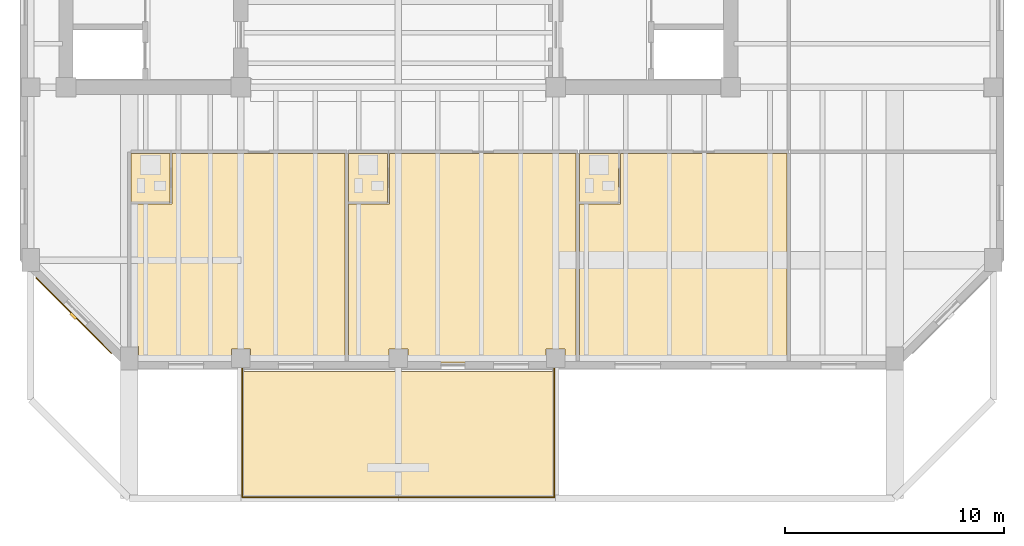
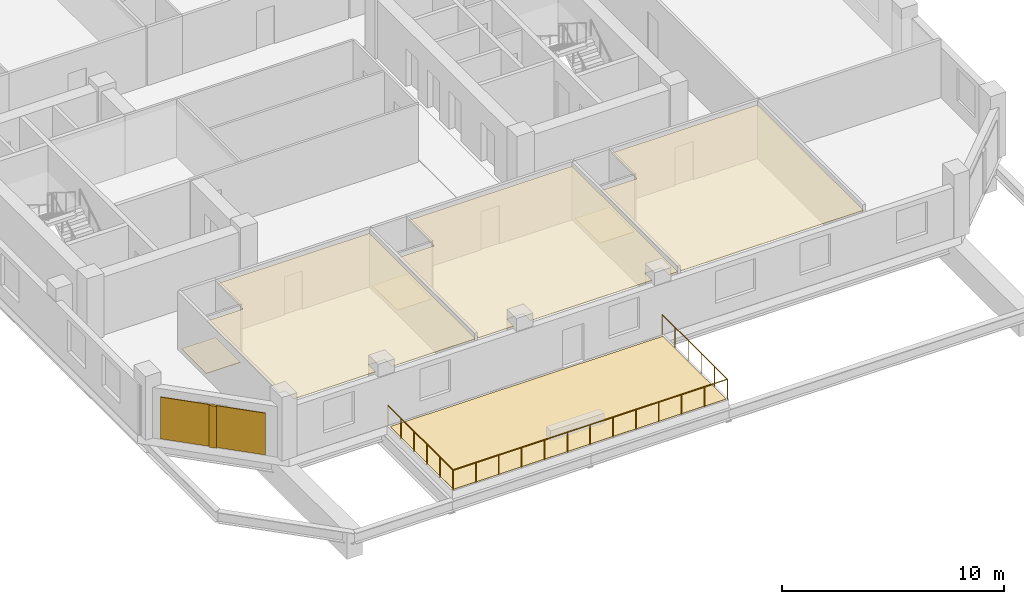
# One storey, part 7 of 10: 8 coverings, 1 railing, 1 shading device.
"""IFC4 building model written with IfcOpenShell, lengths in metres."""

import ifcopenshell
import ifcopenshell.guid

model = None  # the IFC model being written
_history = None  # IfcOwnerHistory: only IFC2X3 demands one
_inside = {}  # id of a spatial element -> (the spatial element, [elements in it])
_under = {}  # id of a project, library or spatial element -> (it, [spatial elements below it])
_declared = {}  # id of a project -> (the project, [libraries it declares])
_typed = {}  # id of a type object -> (the type object, [elements of that type])
_made_of = {}  # id of a material, layer set ... -> (it, [elements and type objects made of it])


def new_model(schema):
    """Start an empty IFC model of exactly this schema.

    Asked for "IFC4X3", IfcOpenShell would pick the latest addendum, in which some entities
    have other attributes; the version numbers below select the first issue.
    IFC2X3 requires an IfcOwnerHistory on every rooted entity: one is made here for all.
    """
    global model, _history
    if schema == "IFC4X3":
        model = ifcopenshell.file(schema_version=(4, 3, 0, 0))
    else:
        model = ifcopenshell.file(schema=schema)
    _inside.clear()
    _under.clear()
    _declared.clear()
    _typed.clear()
    _made_of.clear()
    _history = None
    if model.schema == "IFC2X3":
        org = make("IfcOrganization", Name="unknown")
        user = make(
            "IfcPersonAndOrganization",
            ThePerson=make("IfcPerson", FamilyName="unknown"),
            TheOrganization=org,
        )
        app = make(
            "IfcApplication",
            ApplicationDeveloper=org,
            Version="unknown",
            ApplicationFullName="unknown",
            ApplicationIdentifier="unknown",
        )
        _history = make(
            "IfcOwnerHistory",
            OwningUser=user,
            OwningApplication=app,
            ChangeAction="ADDED",
            CreationDate=0,
        )
    return model


def make(cls, **values):
    """One entity of the class cls with the attributes given. An attribute that is None is left unset."""
    return model.create_entity(
        cls, **{name: value for name, value in values.items() if value is not None}
    )


def rooted(cls, **values):
    """An entity with a GlobalId (a new one), such as an element, a storey or a relation."""
    return make(cls, GlobalId=ifcopenshell.guid.new(), OwnerHistory=_history, **values)


def si_unit(unit_type, name, prefix=None):
    """IfcSIUnit, for example si_unit("LENGTHUNIT", "METRE", prefix="MILLI")."""
    return make("IfcSIUnit", UnitType=unit_type, Prefix=prefix, Name=name)


def assignment(units):
    """IfcUnitAssignment: the units of a project."""
    return None if units is None else make("IfcUnitAssignment", Units=units)


def point(xyz):
    """IfcCartesianPoint."""
    return None if xyz is None else make("IfcCartesianPoint", Coordinates=xyz)


def direction(xyz):
    """IfcDirection."""
    return None if xyz is None else make("IfcDirection", DirectionRatios=xyz)


def frame(location, z_axis=None, x_axis=None):
    """IfcAxis2Placement3D, a coordinate frame: its origin and axes. An axis left out is left unset."""
    return make(
        "IfcAxis2Placement3D",
        Location=point(location),
        Axis=direction(z_axis),
        RefDirection=direction(x_axis),
    )


def frame_2d(location, x_axis=None):
    """IfcAxis2Placement2D, a coordinate frame in the plane: its origin and x axis."""
    return make(
        "IfcAxis2Placement2D", Location=point(location), RefDirection=direction(x_axis)
    )


def origin():
    """The frame at (0, 0, 0) with its axes left unset."""
    return frame((0.0, 0.0, 0.0))


def origin_2d():
    """The frame at (0, 0) in the plane with its x axis left unset."""
    return frame_2d((0.0, 0.0))


def place(relative_to, where):
    """IfcLocalPlacement: puts the frame where relative to a parent placement (None: the world)."""
    return make(
        "IfcLocalPlacement", PlacementRelTo=relative_to, RelativePlacement=where
    )


def context(
    kind, dimensions, precision=None, world=None, true_north=None, identifier=None
):
    """IfcGeometricRepresentationContext, for example the 3D "Model" context."""
    return make(
        "IfcGeometricRepresentationContext",
        ContextIdentifier=identifier,
        ContextType=kind,
        CoordinateSpaceDimension=dimensions,
        Precision=precision,
        WorldCoordinateSystem=world,
        TrueNorth=true_north,
    )


def subcontext(parent, identifier, kind, view, scale=None):
    """IfcGeometricRepresentationSubContext, for example "Body" below "Model"."""
    return make(
        "IfcGeometricRepresentationSubContext",
        ContextIdentifier=identifier,
        ContextType=kind,
        ParentContext=parent,
        TargetScale=scale,
        TargetView=view,
    )


def project(units=None, contexts=None):
    """IfcProject with its units and contexts."""
    return rooted(
        "IfcProject",
        Name="project",
        RepresentationContexts=contexts,
        UnitsInContext=assignment(units),
    )


def spatial(cls, under=None, at=None, **own):
    """A site, building, storey or space (cls), placed at a placement, below another one or the project."""
    s = rooted(cls, ObjectPlacement=at, **own)
    if under is not None:
        _under.setdefault(under.id(), (under, []))[1].append(s)
    return s


def polyline(points):
    """IfcPolyline through the points."""
    return make("IfcPolyline", Points=[point(p) for p in points])


def profile(cls, at=None, kind="AREA", **sizes):
    """A parametric profile (cls). Its sizes go by their IFC names, for example OverallWidth=200.0."""
    return make(cls, ProfileType=kind, Position=at, **sizes)


def rectangle(**sizes):
    """IfcRectangleProfileDef."""
    return profile("IfcRectangleProfileDef", **sizes)


def circle(**sizes):
    """IfcCircleProfileDef."""
    return profile("IfcCircleProfileDef", **sizes)


def outline(outer, holes=None, kind="AREA"):
    """IfcArbitraryClosedProfileDef: a profile drawn as a closed curve; with holes, ...WithVoids."""
    if holes is None:
        return make("IfcArbitraryClosedProfileDef", ProfileType=kind, OuterCurve=outer)
    return make(
        "IfcArbitraryProfileDefWithVoids",
        ProfileType=kind,
        OuterCurve=outer,
        InnerCurves=holes,
    )


def extrude(swept, where, along, depth):
    """IfcExtrudedAreaSolid: the profile swept, set in the frame where, extruded along a direction by depth."""
    return make(
        "IfcExtrudedAreaSolid",
        SweptArea=swept,
        Position=where,
        ExtrudedDirection=direction(along),
        Depth=depth,
    )


def shape(context_of_items, identifier, shape_type, items):
    """IfcShapeRepresentation: the items that make up one representation, for example the "Body"."""
    return make(
        "IfcShapeRepresentation",
        ContextOfItems=context_of_items,
        RepresentationIdentifier=identifier,
        RepresentationType=shape_type,
        Items=items,
    )


def material(Name=None, Category=None):
    """IfcMaterial."""
    return make("IfcMaterial", Name=Name, Category=Category)


def layer(
    of_material, thickness, ventilated=None, Name=None, Category=None, Priority=None
):
    """IfcMaterialLayer: one layer of a wall or slab, of a material (None: an air gap)."""
    return make(
        "IfcMaterialLayer",
        Material=of_material,
        LayerThickness=thickness,
        IsVentilated=ventilated,
        Name=Name,
        Category=Category,
        Priority=Priority,
    )


def layer_set(layers, Name=None):
    """IfcMaterialLayerSet."""
    return make("IfcMaterialLayerSet", MaterialLayers=layers, LayerSetName=Name)


def made_of(thing, what):
    """Note that an element or type object is made of a material, layer set ...; save() writes the relation."""
    if what is not None:
        _made_of.setdefault(what.id(), (what, []))[1].append(thing)
    return thing


def type_object(cls, material=None, **own):
    """A type object (cls), such as IfcWallType, which elements share."""
    return made_of(rooted(cls, **own), material)


def element(
    cls,
    number,
    at=None,
    inside=None,
    cuts=None,
    type_object=None,
    material=None,
    context=None,
    identifier="Body",
    shape_type=None,
    held_by="IfcProductDefinitionShape",
    body=None,
    shapes=None,
    **own,
):
    """One element of the class cls, such as IfcWall. Its Tag is "e" and its number.

    at: its placement. inside: the storey or other place that contains it. cuts: it is an
    opening in that element (IfcRelVoidsElement). A single representation is given by context,
    identifier, shape_type and body (its items); several are given by shapes. held_by: the class
    of the entity that holds the representations. save() writes the other relations.
    """
    e = rooted(cls, Tag="e%d" % number, ObjectPlacement=at, **own)
    if body is not None:
        shapes = [shape(context, identifier, shape_type, body)]
    if shapes is not None:
        e.Representation = make(held_by, Representations=shapes)
    if inside is not None:
        _inside.setdefault(inside.id(), (inside, []))[1].append(e)
    if cuts is not None:
        rooted(
            "IfcRelVoidsElement", RelatingBuildingElement=cuts, RelatedOpeningElement=e
        )
    if type_object is not None:
        _typed.setdefault(type_object.id(), (type_object, []))[1].append(e)
    return made_of(e, material)


def aggregate(whole, parts):
    """IfcRelAggregates: a whole, such as a stair, and the parts it consists of."""
    return rooted("IfcRelAggregates", RelatingObject=whole, RelatedObjects=parts)


def save(model, path):
    """Write the relations noted so far, then the file.

    IfcRelAggregates (storeys below a building ...), IfcRelContainedInSpatialStructure (elements
    in a storey), IfcRelDefinesByType, IfcRelAssociatesMaterial and IfcRelDeclares: one each for
    every whole, place, type object, material and project.
    """
    for whole, parts in _under.values():
        aggregate(whole, parts)
    for where, things in _inside.values():
        rooted(
            "IfcRelContainedInSpatialStructure",
            RelatedElements=things,
            RelatingStructure=where,
        )
    for kind, things in _typed.values():
        rooted("IfcRelDefinesByType", RelatedObjects=things, RelatingType=kind)
    for what, things in _made_of.values():
        rooted("IfcRelAssociatesMaterial", RelatedObjects=things, RelatingMaterial=what)
    for by, libraries in _declared.values():
        rooted("IfcRelDeclares", RelatingContext=by, RelatedDefinitions=libraries)
    model.write(path)


model = new_model("IFC4")

# Units and contexts
model_context = context("Model", 3, precision=1e-05, world=origin(), true_north=direction((0.0, 1.0)))
body_context = subcontext(model_context, "Body", "Model", "MODEL_VIEW")
ifc_project = project(units=[si_unit("LENGTHUNIT", "METRE"), si_unit("AREAUNIT", "SQUARE_METRE"), si_unit("VOLUMEUNIT", "CUBIC_METRE"), si_unit("PLANEANGLEUNIT", "RADIAN"), si_unit("MASSUNIT", "GRAM", prefix="KILO")], contexts=[model_context])

# Site, building, storey
site_placement = place(None, origin())
site = spatial("IfcSite", under=ifc_project, at=site_placement, CompositionType="ELEMENT")
building_placement = place(site_placement, origin())
building = spatial("IfcBuilding", under=site, at=building_placement, Name="Kranthara Brick Stack", CompositionType="ELEMENT")
storey_placement = place(building_placement, frame((0.0, 0.0, 162.300048828125)))
storey = spatial("IfcBuildingStorey", under=building, at=storey_placement, Name="L41", CompositionType="ELEMENT", Elevation=162.300048828125)

# Coverings
ifc_material_1 = material(Name="Perforated mineral-fibre acoustic ceiling tile", Category="other")
ifc_layer_1 = layer(ifc_material_1, 0.02490234375)
ifc_layer_set_1 = layer_set([ifc_layer_1], Name="Perforated mineral-fibre acoustic ceiling tile")
covering_type_1 = type_object("IfcCoveringType", Name="COV-CEIL-ACOUSTIC", PredefinedType="CEILING", material=ifc_layer_set_1)
covering_1_placement = place(storey_placement, frame((0.0, 0.0, 2.929931640625)))
element("IfcCovering", 1, at=covering_1_placement, inside=storey, type_object=covering_type_1, Name="L41 Room L41-01 Corner Junior Suite Acoustic Ceiling", PredefinedType="CEILING", context=body_context, shape_type="SweptSolid", body=[
    extrude(outline(polyline([(17.659912109375, 15.4599609375), (17.659912109375, 17.77001953125), (25.569091796875, 17.77001953125), (25.569091796875, 8.199951171875), (21.235107421875, 8.199951171875), (21.235107421875, 8.8349609375), (20.364990234375, 8.8349609375), (20.364990234375, 8.199951171875), (16.110107421875, 8.199951171875), (16.110107421875, 8.93505859375), (15.780029296875, 8.93505859375), (15.780029296875, 15.4599609375), (17.659912109375, 15.4599609375)])), origin(), (0.0, 0.0, 1.0), 0.02490234375),
])
covering_2_placement = place(storey_placement, frame((0.0, 0.0, 2.929931640625)))
element("IfcCovering", 2, at=covering_2_placement, inside=storey, type_object=covering_type_1, Name="L41 Room L41-02 Corner Junior Suite Acoustic Ceiling", PredefinedType="CEILING", context=body_context, shape_type="SweptSolid", body=[
    extrude(outline(polyline([(25.72900390625, 15.4599609375), (27.60888671875, 15.4599609375), (27.60888671875, 17.77001953125), (36.1220703125, 17.77001953125), (36.1220703125, 8.199951171875), (35.635009765625, 8.199951171875), (35.635009765625, 8.8349609375), (34.764892578125, 8.8349609375), (34.764892578125, 8.199951171875), (28.43505859375, 8.199951171875), (28.43505859375, 8.8349609375), (27.56494140625, 8.8349609375), (27.56494140625, 8.199951171875), (25.72900390625, 8.199951171875), (25.72900390625, 15.4599609375)])), origin(), (0.0, 0.0, 1.0), 0.02490234375),
])
covering_3_placement = place(storey_placement, frame((0.0, 0.0, 2.929931640625)))
element("IfcCovering", 3, at=covering_3_placement, inside=storey, type_object=covering_type_1, Name="L41 Room L41-03 Corner Junior Suite Acoustic Ceiling", PredefinedType="CEILING", context=body_context, shape_type="SweptSolid", body=[
    extrude(outline(polyline([(36.281982421875, 8.199951171875), (45.77001953125, 8.199951171875), (45.77001953125, 17.77001953125), (38.162109375, 17.77001953125), (38.162109375, 15.4599609375), (36.281982421875, 15.4599609375), (36.281982421875, 8.199951171875)])), origin(), (0.0, 0.0, 1.0), 0.02490234375),
])
ifc_material_2 = material(Name="Warm buff kiln-fired brick slip rainscreen", Category="masonry")
ifc_layer_2 = layer(ifc_material_2, 0.044921875)
ifc_layer_set_2 = layer_set([ifc_layer_2], Name="Warm buff kiln-fired brick slip rainscreen")
covering_type_2 = type_object("IfcCoveringType", Name="COV-CLAD-BRICK", PredefinedType="CLADDING", material=ifc_layer_set_2)
covering_4_placement = place(storey_placement, frame((13.15966796875, 10.359619140625, 0.0498046875), z_axis=(0.0, 0.0, 1.0), x_axis=(-0.707106781187, 0.707106781187, 0.0)))
element("IfcCovering", 4, at=covering_4_placement, inside=storey, type_object=covering_type_2, Name="L41 Chamfer Brick Rainscreen Cladding SW", PredefinedType="CLADDING", context=body_context, shape_type="SweptSolid", body=[
    extrude(rectangle(XDim=4.89306640625, YDim=0.044921875, at=origin_2d()), origin(), (0.0, 0.0, 1.0), 2.300048828125),
])
ifc_material_3 = material(Name="Honed terrazzo and porcelain floor finish", Category="stone")
ifc_layer_3 = layer(ifc_material_3, 0.030029296875)
ifc_layer_set_3 = layer_set([ifc_layer_3], Name="Honed terrazzo and porcelain floor finish")
covering_type_3 = type_object("IfcCoveringType", Name="COV-FLOR-STONE", PredefinedType="FLOORING", material=ifc_layer_set_3)
covering_5_placement = place(storey_placement, origin())
element("IfcCovering", 5, at=covering_5_placement, inside=storey, type_object=covering_type_3, Name="L41 Wet Room Porcelain Flooring", PredefinedType="FLOORING", context=body_context, shape_type="SweptSolid", body=[
    extrude(outline(polyline([(15.780029296875, 15.52001953125), (15.780029296875, 17.77001953125), (17.56005859375, 17.77001953125), (17.56005859375, 15.52001953125), (15.780029296875, 15.52001953125)])), origin(), (0.0, 0.0, 1.0), 0.030029296875),
])
covering_6_placement = place(storey_placement, origin())
element("IfcCovering", 6, at=covering_6_placement, inside=storey, type_object=covering_type_3, Name="L41 Wet Room Porcelain Flooring", PredefinedType="FLOORING", context=body_context, shape_type="SweptSolid", body=[
    extrude(outline(polyline([(25.72900390625, 15.52001953125), (25.72900390625, 17.77001953125), (27.509033203125, 17.77001953125), (27.509033203125, 15.52001953125), (25.72900390625, 15.52001953125)])), origin(), (0.0, 0.0, 1.0), 0.030029296875),
])
covering_7_placement = place(storey_placement, origin())
element("IfcCovering", 7, at=covering_7_placement, inside=storey, type_object=covering_type_3, Name="L41 Wet Room Porcelain Flooring", PredefinedType="FLOORING", context=body_context, shape_type="SweptSolid", body=[
    extrude(outline(polyline([(36.281982421875, 15.52001953125), (36.281982421875, 17.77001953125), (38.06201171875, 17.77001953125), (38.06201171875, 15.52001953125), (36.281982421875, 15.52001953125)])), origin(), (0.0, 0.0, 1.0), 0.030029296875),
])
ifc_material_4 = material(Name="EPDM waterproofing membrane and rigid insulation", Category="other")
ifc_layer_4 = layer(ifc_material_4, 0.0400390625)
ifc_layer_set_4 = layer_set([ifc_layer_4], Name="EPDM waterproofing membrane and rigid insulation")
covering_type_4 = type_object("IfcCoveringType", Name="COV-ROOF-MEMB", PredefinedType="ROOFING", material=ifc_layer_set_4)
covering_8_placement = place(storey_placement, frame((0.0, 0.0, -0.0400390625)))
element("IfcCovering", 8, at=covering_8_placement, inside=storey, type_object=covering_type_4, Name="L41 Sky Garden Waterproofing Membrane", PredefinedType="ROOFING", context=body_context, shape_type="SweptSolid", body=[
    extrude(outline(polyline([(20.89990234375, 2.10009765625), (35.10009765625, 2.10009765625), (35.10009765625, 7.800048828125), (20.89990234375, 7.800048828125), (20.89990234375, 2.10009765625)])), origin(), (0.0, 0.0, 1.0), 0.0400390625),
])

# Railing
ifc_material_5 = material(Name="Bronze anodised aluminium guardrail", Category="aluminium")
railing_type = type_object("IfcRailingType", Name="RL-TERR-1100", PredefinedType="GUARDRAIL", material=ifc_material_5)
railing_placement = place(storey_placement, frame((20.860107421875, 7.93994140625, 0.0)))
element("IfcRailing", 9, at=railing_placement, inside=storey, type_object=railing_type, Name="L41 Sky Garden Perimeter Guardrail", PredefinedType="GUARDRAIL", context=body_context, shape_type="SweptSolid", body=[
    extrude(circle(Radius=0.02392578125, at=origin_2d()), frame((0.0, 0.0, 1.09619140625), z_axis=(0.0, -1.0, 0.0), x_axis=(1.0, 0.0, 0.0)), (0.0, 0.0, 1.0), 5.8798828125),
    extrude(circle(Radius=0.02392578125, at=origin_2d()), frame((0.0, -5.8798828125, 1.09619140625), z_axis=(1.0, 0.0, 0.0), x_axis=(0.0, 1.0, 0.0)), (0.0, 0.0, 1.0), 14.27978515625),
    extrude(circle(Radius=0.02392578125, at=origin_2d()), frame((14.27978515625, -5.8798828125, 1.09619140625), z_axis=(0.0, 1.0, 0.0), x_axis=(-1.0, 0.0, 0.0)), (0.0, 0.0, 1.0), 5.8798828125),
    extrude(circle(Radius=0.02099609375, at=origin_2d()), origin(), (0.0, 0.0, 1.0), 1.072021484375),
    extrude(circle(Radius=0.02099609375, at=origin_2d()), frame((0.0, -1.176025390625, 0.0)), (0.0, 0.0, 1.0), 1.072021484375),
    extrude(circle(Radius=0.02099609375, at=origin_2d()), frame((0.0, -2.35205078125, 0.0)), (0.0, 0.0, 1.0), 1.072021484375),
    extrude(circle(Radius=0.02099609375, at=origin_2d()), frame((0.0, -3.52783203125, 0.0)), (0.0, 0.0, 1.0), 1.072021484375),
    extrude(circle(Radius=0.02099609375, at=origin_2d()), frame((0.0, -4.703857421875, 0.0)), (0.0, 0.0, 1.0), 1.072021484375),
    extrude(circle(Radius=0.02099609375, at=origin_2d()), frame((0.0, -5.8798828125, 0.0)), (0.0, 0.0, 1.0), 1.072021484375),
    extrude(circle(Radius=0.02099609375, at=origin_2d()), frame((1.18994140625, -5.8798828125, 0.0)), (0.0, 0.0, 1.0), 1.072021484375),
    extrude(circle(Radius=0.02099609375, at=origin_2d()), frame((2.3798828125, -5.8798828125, 0.0)), (0.0, 0.0, 1.0), 1.072021484375),
    extrude(circle(Radius=0.02099609375, at=origin_2d()), frame((3.56982421875, -5.8798828125, 0.0)), (0.0, 0.0, 1.0), 1.072021484375),
    extrude(circle(Radius=0.02099609375, at=origin_2d()), frame((4.760009765625, -5.8798828125, 0.0)), (0.0, 0.0, 1.0), 1.072021484375),
    extrude(circle(Radius=0.02099609375, at=origin_2d()), frame((5.949951171875, -5.8798828125, 0.0)), (0.0, 0.0, 1.0), 1.072021484375),
    extrude(circle(Radius=0.02099609375, at=origin_2d()), frame((7.139892578125, -5.8798828125, 0.0)), (0.0, 0.0, 1.0), 1.072021484375),
    extrude(circle(Radius=0.02099609375, at=origin_2d()), frame((8.329833984375, -5.8798828125, 0.0)), (0.0, 0.0, 1.0), 1.072021484375),
    extrude(circle(Radius=0.02099609375, at=origin_2d()), frame((9.519775390625, -5.8798828125, 0.0)), (0.0, 0.0, 1.0), 1.072021484375),
    extrude(circle(Radius=0.02099609375, at=origin_2d()), frame((10.7099609375, -5.8798828125, 0.0)), (0.0, 0.0, 1.0), 1.072021484375),
    extrude(circle(Radius=0.02099609375, at=origin_2d()), frame((11.89990234375, -5.8798828125, 0.0)), (0.0, 0.0, 1.0), 1.072021484375),
    extrude(circle(Radius=0.02099609375, at=origin_2d()), frame((13.08984375, -5.8798828125, 0.0)), (0.0, 0.0, 1.0), 1.072021484375),
    extrude(circle(Radius=0.02099609375, at=origin_2d()), frame((14.27978515625, -5.8798828125, 0.0)), (0.0, 0.0, 1.0), 1.072021484375),
    extrude(circle(Radius=0.02099609375, at=origin_2d()), frame((14.27978515625, -4.703857421875, 0.0)), (0.0, 0.0, 1.0), 1.072021484375),
    extrude(circle(Radius=0.02099609375, at=origin_2d()), frame((14.27978515625, -3.52783203125, 0.0)), (0.0, 0.0, 1.0), 1.072021484375),
    extrude(circle(Radius=0.02099609375, at=origin_2d()), frame((14.27978515625, -2.35205078125, 0.0)), (0.0, 0.0, 1.0), 1.072021484375),
    extrude(circle(Radius=0.02099609375, at=origin_2d()), frame((14.27978515625, -1.176025390625, 0.0)), (0.0, 0.0, 1.0), 1.072021484375),
    extrude(circle(Radius=0.02099609375, at=origin_2d()), frame((14.27978515625, 0.0, 0.0)), (0.0, 0.0, 1.0), 1.072021484375),
])

# Shading device
ifc_material_6 = material(Name="Kiln-fired terracotta aerodynamic wind fin", Category="masonry")
shading_device_type = type_object("IfcShadingDeviceType", Name="SHD-BAFFLE-CORNER", PredefinedType="SHUTTER", material=ifc_material_6)
shading_device_placement = place(storey_placement, frame((13.138427734375, 10.33837890625, 0.0498046875), z_axis=(0.0, 0.0, 1.0), x_axis=(-0.707106781187, 0.707106781187, 0.0)))
element("IfcShadingDevice", 10, at=shading_device_placement, inside=storey, type_object=shading_device_type, Name="L41 Chamfer Wind-Baffle Fin SW", PredefinedType="SHUTTER", context=body_context, shape_type="SweptSolid", body=[
    extrude(rectangle(XDim=0.35009765625, YDim=0.1201171875, at=origin_2d()), origin(), (0.0, 0.0, 1.0), 2.300048828125),
])

save(model, "model.ifc")
